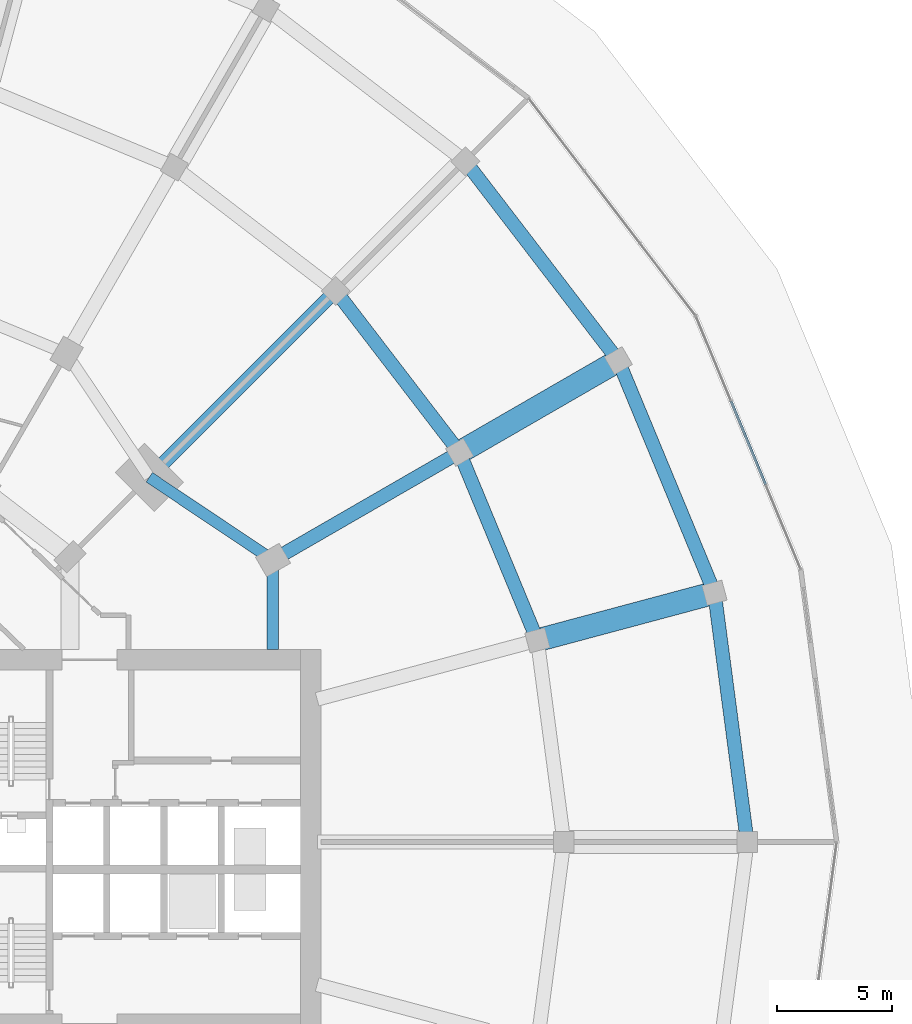
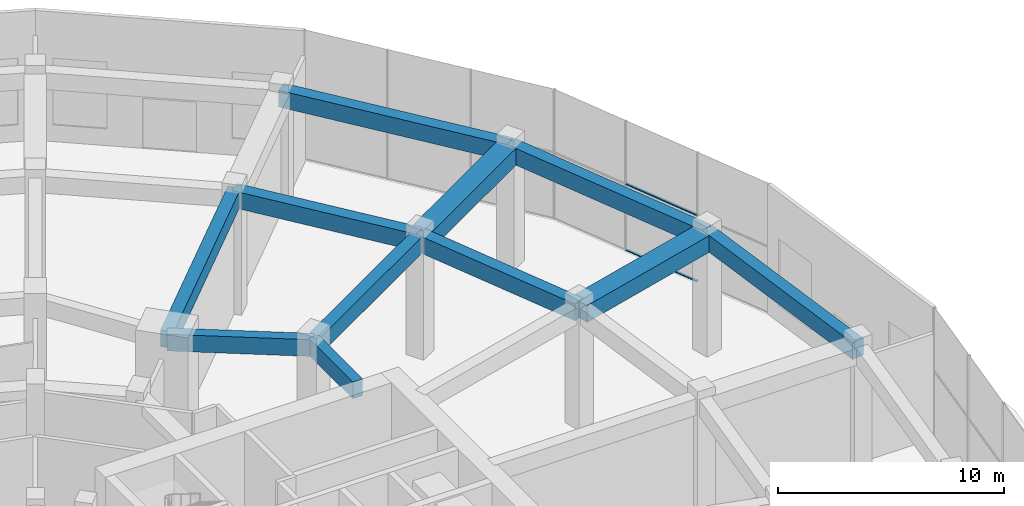
# One storey, part 17 of 31: 11 beams, 2 members, 1 element without a shape of its own.
"""IFC4 building model written with IfcOpenShell, lengths in metres."""

from ifc_helpers import new_model, si_unit, direction, frame, origin, origin_2d, place, context, subcontext, project, spatial, rectangle, extrude, material, layer, layer_set, material_profile, profile_set, type_object, element, aggregate, save


model = new_model("IFC4")

# Units and contexts
model_context = context("Model", 3, precision=1e-05, world=origin(), true_north=direction((0.0, 1.0)))
body_context = subcontext(model_context, "Body", "Model", "MODEL_VIEW")
ifc_project = project(units=[si_unit("LENGTHUNIT", "METRE"), si_unit("AREAUNIT", "SQUARE_METRE"), si_unit("VOLUMEUNIT", "CUBIC_METRE"), si_unit("PLANEANGLEUNIT", "RADIAN"), si_unit("MASSUNIT", "GRAM", prefix="KILO")], contexts=[model_context])

# Site, building, storey
site_placement = place(None, origin())
site = spatial("IfcSite", under=ifc_project, at=site_placement, CompositionType="ELEMENT")
building_placement = place(site_placement, origin())
building = spatial("IfcBuilding", under=site, at=building_placement, Name="Torre Brocal", CompositionType="ELEMENT")
storey_placement = place(building_placement, origin())
storey = spatial("IfcBuildingStorey", under=building, at=storey_placement, Name="L00", CompositionType="ELEMENT", Elevation=0.0)

# Curtain wall, members
ifc_material_1 = material(Name="Aluminium and glass", Category="aluminium")
ifc_layer = layer(ifc_material_1, 0.199951171875)
ifc_layer_set = layer_set([ifc_layer], Name="Aluminium and glass")
curtain_wall_type = type_object("IfcCurtainWallType", Name="CW-3 CURTAIN WALL 7000 HIGH", PredefinedType="NOTDEFINED", material=ifc_layer_set)
curtain_wall_placement = place(storey_placement, origin())
curtain_wall = element("IfcCurtainWall", 1, at=curtain_wall_placement, inside=storey, type_object=curtain_wall_type, Name="CW-3 RUN 2", PredefinedType="NOTDEFINED")
ifc_material_2 = material(Name="Aluminium, dark anodised", Category="aluminium")
ifc_material_profile_1 = material_profile(ifc_material_2, rectangle(XDim=0.1201171875, YDim=0.06005859375, at=origin_2d()), Name="CW-3 TRANSOM 120X60")
ifc_profile_set_1 = profile_set([ifc_material_profile_1], Name="Aluminium, dark anodised")
member_type = type_object("IfcMemberType", Name="CW-3 TRANSOM 120X60", PredefinedType="USERDEFINED", material=ifc_profile_set_1)
member_1_placement = place(storey_placement, frame((122.797119140625, 90.5927734375, 0.030029296875), z_axis=(-0.382676171661, 0.92388253996, 0.0), x_axis=(-0.92388253996, -0.382676171661, 0.0)))
member_1 = element("IfcMember", 2, at=member_1_placement, type_object=member_type, Name="CW3-1 transom 2.1", ObjectType="TRANSOM", PredefinedType="USERDEFINED", context=body_context, shape_type="SweptSolid", body=[
    extrude(rectangle(XDim=0.1201171875, YDim=0.06005859375, at=origin_2d()), origin(), (0.0, 0.0, 1.0), 3.944091796875),
])
member_2_placement = place(storey_placement, frame((122.797119140625, 90.5927734375, 3.60009765625), z_axis=(-0.382676171661, 0.92388253996, 0.0), x_axis=(-0.92388253996, -0.382676171661, 0.0)))
member_2 = element("IfcMember", 3, at=member_2_placement, type_object=member_type, Name="CW3-1 transom 2.2", ObjectType="TRANSOM", PredefinedType="USERDEFINED", context=body_context, shape_type="SweptSolid", body=[
    extrude(rectangle(XDim=0.1201171875, YDim=0.06005859375, at=origin_2d()), origin(), (0.0, 0.0, 1.0), 3.944091796875),
])
aggregate(curtain_wall, [member_1, member_2])

# Beams
ifc_material_3 = material(Name="Concrete C50", Category="concrete")
ifc_material_profile_2 = material_profile(ifc_material_3, rectangle(XDim=0.60009765625, YDim=0.89990234375, at=origin_2d()), Name="RC 600X900")
ifc_profile_set_2 = profile_set([ifc_material_profile_2], Name="Concrete C50")
beam_type_1 = type_object("IfcBeamType", Name="RC BEAM 600X900 C50 TOP 6550", PredefinedType="BEAM", material=ifc_profile_set_2)
for number, where, z_axis, x_axis, name in (
    (4, (122.0, 75.0, 6.10009765625), (-0.130529968843, 0.991444364165, 0.0), (-0.991444364165, -0.130529968843, 0.0), "Beam BT-07"),
    (5, (120.56884765625, 85.870361328125, 6.10009765625), (-0.382680868131, 0.923880594648, 0.0), (-0.923880594648, -0.382680868131, 0.0), "Beam BT-07"),
    (6, (116.373046875, 96.0, 6.10009765625), (-0.608760122032, 0.793354343168, 0.0), (-0.793354343168, -0.608760122032, 0.0), "Beam BT-07"),
):
    element("IfcBeam", number, at=place(storey_placement, frame(where, z_axis=z_axis, x_axis=x_axis)), inside=storey, type_object=beam_type_1, Name=name, PredefinedType="BEAM", context=body_context, shape_type="SweptSolid", body=[
        extrude(rectangle(XDim=0.60009765625, YDim=0.89990234375, at=origin_2d()), origin(), (0.0, 0.0, 1.0), 10.964111328125),
    ])
beam_1_placement = place(storey_placement, frame((112.841552734375, 83.7998046875, 6.10009765625), z_axis=(-0.382692703012, 0.923875692429, 0.0), x_axis=(-0.923875692429, -0.382692703012, 0.0)))
element("IfcBeam", 7, at=beam_1_placement, inside=storey, type_object=beam_type_1, Name="Beam BT-07", PredefinedType="BEAM", context=body_context, shape_type="SweptSolid", body=[
    extrude(rectangle(XDim=0.60009765625, YDim=0.89990234375, at=origin_2d()), origin(), (0.0, 0.0, 1.0), 8.8759765625),
])
beam_2_placement = place(storey_placement, frame((109.44482421875, 92.0, 6.10009765625), z_axis=(-0.608743902882, 0.793366788253, 0.0), x_axis=(-0.793366788253, -0.608743902882, 0.0)))
element("IfcBeam", 8, at=beam_2_placement, inside=storey, type_object=beam_type_1, Name="Beam BT-07", PredefinedType="BEAM", context=body_context, shape_type="SweptSolid", body=[
    extrude(rectangle(XDim=0.60009765625, YDim=0.89990234375, at=origin_2d()), origin(), (0.0, 0.0, 1.0), 8.875732421875),
])
beam_3_placement = place(storey_placement, frame((101.30419921875, 87.300048828125, 6.10009765625), z_axis=(0.866027286158, 0.499996739618, 0.0), x_axis=(-0.499996739618, 0.866027286158, 0.0)))
element("IfcBeam", 9, at=beam_3_placement, inside=storey, type_object=beam_type_1, Name="Beam BT-07", PredefinedType="BEAM", context=body_context, shape_type="SweptSolid", body=[
    extrude(rectangle(XDim=0.60009765625, YDim=0.89990234375, at=origin_2d()), origin(), (0.0, 0.0, 1.0), 9.39990234375),
])
beam_4_placement = place(storey_placement, frame((95.909912109375, 90.909912109375, 6.10009765625), z_axis=(0.707106781187, 0.707106781187, 0.0), x_axis=(-0.707106781187, 0.707106781187, 0.0)))
element("IfcBeam", 10, at=beam_4_placement, inside=storey, type_object=beam_type_1, Name="Beam BT-07", PredefinedType="BEAM", context=body_context, shape_type="SweptSolid", body=[
    extrude(rectangle(XDim=0.60009765625, YDim=0.89990234375, at=origin_2d()), origin(), (0.0, 0.0, 1.0), 11.500244140625),
])
ifc_material_4 = material(Name="Concrete C50", Category="concrete")
ifc_material_profile_3 = material_profile(ifc_material_4, rectangle(XDim=0.5, YDim=0.89990234375, at=origin_2d()), Name="RC 500X900")
ifc_profile_set_3 = profile_set([ifc_material_profile_3], Name="Concrete C50")
beam_type_2 = type_object("IfcBeamType", Name="RC SPANDREL BEAM 500X900 C50 TOP 6550", PredefinedType="SPANDREL", material=ifc_profile_set_3)
beam_5_placement = place(storey_placement, frame((101.30419921875, 87.300048828125, 6.10009765625), z_axis=(-0.831076844476, 0.556157602282, 0.0), x_axis=(-0.556157602282, -0.831076844476, 0.0)))
element("IfcBeam", 11, at=beam_5_placement, inside=storey, type_object=beam_type_2, Name="Beam BT-09", PredefinedType="SPANDREL", context=body_context, shape_type="SweptSolid", body=[
    extrude(rectangle(XDim=0.5, YDim=0.89990234375, at=origin_2d()), origin(), (0.0, 0.0, 1.0), 6.49072265625),
])
beam_6_placement = place(storey_placement, frame((101.30419921875, 87.300048828125, 6.10009765625), z_axis=(0.0, -1.0, 0.0), x_axis=(1.0, 0.0, 0.0)))
element("IfcBeam", 12, at=beam_6_placement, inside=storey, type_object=beam_type_2, Name="Beam BT-09", PredefinedType="SPANDREL", context=body_context, shape_type="SweptSolid", body=[
    extrude(rectangle(XDim=0.5, YDim=0.89990234375, at=origin_2d()), origin(), (0.0, 0.0, 1.0), 3.900146484375),
])
ifc_material_5 = material(Name="Concrete C60", Category="concrete")
ifc_material_profile_4 = material_profile(ifc_material_5, rectangle(XDim=1.0, YDim=0.89990234375, at=origin_2d()), Name="RC 1000X900")
ifc_profile_set_4 = profile_set([ifc_material_profile_4], Name="Concrete C60")
beam_type_3 = type_object("IfcBeamType", Name="RC TRANSFER GIRDER 1000X900 C60 TOP 6550", PredefinedType="BEAM", material=ifc_profile_set_4)
for number, where, z_axis, x_axis, name in (
    (13, (109.44482421875, 92.0, 6.10009765625), (0.866026010844, 0.49999894854, 0.0), (-0.49999894854, 0.866026010844, 0.0), "Beam TG-01"),
    (14, (112.841552734375, 83.7998046875, 6.10009765625), (0.965924757309, 0.258823034556, 0.0), (-0.258823034556, 0.965924757309, 0.0), "Beam TG-01"),
):
    element("IfcBeam", number, at=place(storey_placement, frame(where, z_axis=z_axis, x_axis=x_axis)), inside=storey, type_object=beam_type_3, Name=name, PredefinedType="BEAM", context=body_context, shape_type="SweptSolid", body=[
        extrude(rectangle(XDim=1.0, YDim=0.89990234375, at=origin_2d()), origin(), (0.0, 0.0, 1.0), 8.0),
    ])

save(model, "model.ifc")
